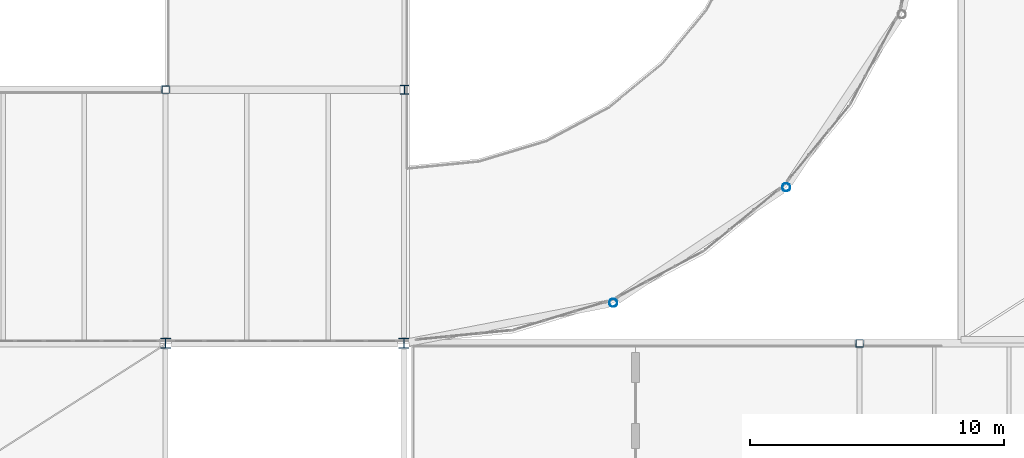
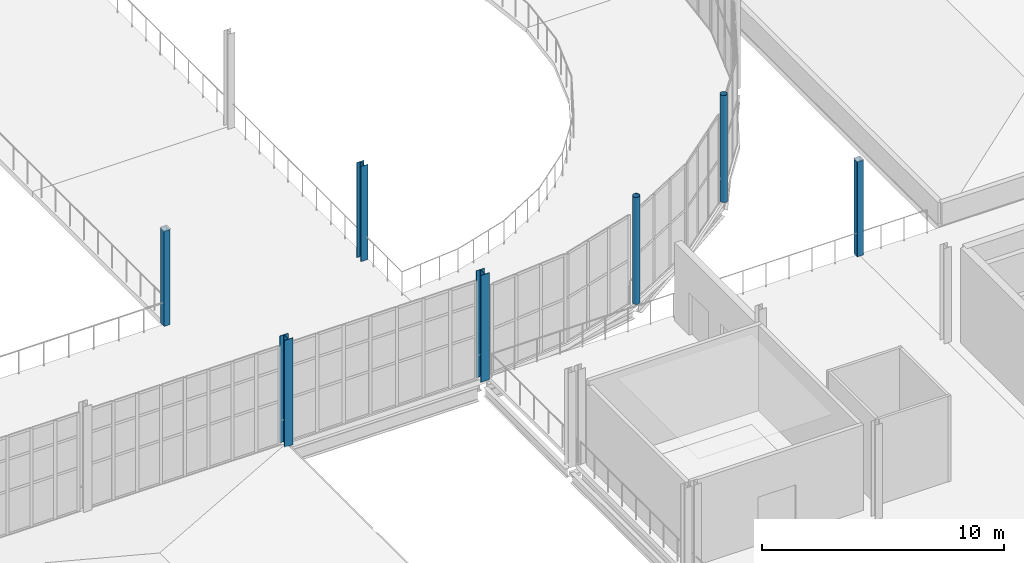
# One storey, part 14 of 112: 7 columns.
"""IFC4 building model written with IfcOpenShell, lengths in metres."""

import ifcopenshell
import ifcopenshell.guid

model = None  # the IFC model being written
_history = None  # IfcOwnerHistory: only IFC2X3 demands one
_inside = {}  # id of a spatial element -> (the spatial element, [elements in it])
_under = {}  # id of a project, library or spatial element -> (it, [spatial elements below it])
_declared = {}  # id of a project -> (the project, [libraries it declares])
_typed = {}  # id of a type object -> (the type object, [elements of that type])
_made_of = {}  # id of a material, layer set ... -> (it, [elements and type objects made of it])


def new_model(schema):
    """Start an empty IFC model of exactly this schema.

    Asked for "IFC4X3", IfcOpenShell would pick the latest addendum, in which some entities
    have other attributes; the version numbers below select the first issue.
    IFC2X3 requires an IfcOwnerHistory on every rooted entity: one is made here for all.
    """
    global model, _history
    if schema == "IFC4X3":
        model = ifcopenshell.file(schema_version=(4, 3, 0, 0))
    else:
        model = ifcopenshell.file(schema=schema)
    _inside.clear()
    _under.clear()
    _declared.clear()
    _typed.clear()
    _made_of.clear()
    _history = None
    if model.schema == "IFC2X3":
        org = make("IfcOrganization", Name="unknown")
        user = make(
            "IfcPersonAndOrganization",
            ThePerson=make("IfcPerson", FamilyName="unknown"),
            TheOrganization=org,
        )
        app = make(
            "IfcApplication",
            ApplicationDeveloper=org,
            Version="unknown",
            ApplicationFullName="unknown",
            ApplicationIdentifier="unknown",
        )
        _history = make(
            "IfcOwnerHistory",
            OwningUser=user,
            OwningApplication=app,
            ChangeAction="ADDED",
            CreationDate=0,
        )
    return model


def make(cls, **values):
    """One entity of the class cls with the attributes given. An attribute that is None is left unset."""
    return model.create_entity(
        cls, **{name: value for name, value in values.items() if value is not None}
    )


def rooted(cls, **values):
    """An entity with a GlobalId (a new one), such as an element, a storey or a relation."""
    return make(cls, GlobalId=ifcopenshell.guid.new(), OwnerHistory=_history, **values)


def si_unit(unit_type, name, prefix=None):
    """IfcSIUnit, for example si_unit("LENGTHUNIT", "METRE", prefix="MILLI")."""
    return make("IfcSIUnit", UnitType=unit_type, Prefix=prefix, Name=name)


def assignment(units):
    """IfcUnitAssignment: the units of a project."""
    return None if units is None else make("IfcUnitAssignment", Units=units)


def point(xyz):
    """IfcCartesianPoint."""
    return None if xyz is None else make("IfcCartesianPoint", Coordinates=xyz)


def direction(xyz):
    """IfcDirection."""
    return None if xyz is None else make("IfcDirection", DirectionRatios=xyz)


def frame(location, z_axis=None, x_axis=None):
    """IfcAxis2Placement3D, a coordinate frame: its origin and axes. An axis left out is left unset."""
    return make(
        "IfcAxis2Placement3D",
        Location=point(location),
        Axis=direction(z_axis),
        RefDirection=direction(x_axis),
    )


def frame_2d(location, x_axis=None):
    """IfcAxis2Placement2D, a coordinate frame in the plane: its origin and x axis."""
    return make(
        "IfcAxis2Placement2D", Location=point(location), RefDirection=direction(x_axis)
    )


def origin():
    """The frame at (0, 0, 0) with its axes left unset."""
    return frame((0.0, 0.0, 0.0))


def origin_2d():
    """The frame at (0, 0) in the plane with its x axis left unset."""
    return frame_2d((0.0, 0.0))


def place(relative_to, where):
    """IfcLocalPlacement: puts the frame where relative to a parent placement (None: the world)."""
    return make(
        "IfcLocalPlacement", PlacementRelTo=relative_to, RelativePlacement=where
    )


def context(
    kind, dimensions, precision=None, world=None, true_north=None, identifier=None
):
    """IfcGeometricRepresentationContext, for example the 3D "Model" context."""
    return make(
        "IfcGeometricRepresentationContext",
        ContextIdentifier=identifier,
        ContextType=kind,
        CoordinateSpaceDimension=dimensions,
        Precision=precision,
        WorldCoordinateSystem=world,
        TrueNorth=true_north,
    )


def subcontext(parent, identifier, kind, view, scale=None):
    """IfcGeometricRepresentationSubContext, for example "Body" below "Model"."""
    return make(
        "IfcGeometricRepresentationSubContext",
        ContextIdentifier=identifier,
        ContextType=kind,
        ParentContext=parent,
        TargetScale=scale,
        TargetView=view,
    )


def project(units=None, contexts=None):
    """IfcProject with its units and contexts."""
    return rooted(
        "IfcProject",
        Name="project",
        RepresentationContexts=contexts,
        UnitsInContext=assignment(units),
    )


def spatial(cls, under=None, at=None, **own):
    """A site, building, storey or space (cls), placed at a placement, below another one or the project."""
    s = rooted(cls, ObjectPlacement=at, **own)
    if under is not None:
        _under.setdefault(under.id(), (under, []))[1].append(s)
    return s


def profile(cls, at=None, kind="AREA", **sizes):
    """A parametric profile (cls). Its sizes go by their IFC names, for example OverallWidth=200.0."""
    return make(cls, ProfileType=kind, Position=at, **sizes)


def hollow_rectangle(**sizes):
    """IfcRectangleHollowProfileDef."""
    return profile("IfcRectangleHollowProfileDef", **sizes)


def hollow_circle(**sizes):
    """IfcCircleHollowProfileDef."""
    return profile("IfcCircleHollowProfileDef", **sizes)


def i_section(**sizes):
    """IfcIShapeProfileDef."""
    return profile("IfcIShapeProfileDef", **sizes)


def extrude(swept, where, along, depth):
    """IfcExtrudedAreaSolid: the profile swept, set in the frame where, extruded along a direction by depth."""
    return make(
        "IfcExtrudedAreaSolid",
        SweptArea=swept,
        Position=where,
        ExtrudedDirection=direction(along),
        Depth=depth,
    )


def shape(context_of_items, identifier, shape_type, items):
    """IfcShapeRepresentation: the items that make up one representation, for example the "Body"."""
    return make(
        "IfcShapeRepresentation",
        ContextOfItems=context_of_items,
        RepresentationIdentifier=identifier,
        RepresentationType=shape_type,
        Items=items,
    )


def material(Name=None, Category=None):
    """IfcMaterial."""
    return make("IfcMaterial", Name=Name, Category=Category)


def material_profile(
    of_material, cross_section, Name=None, Category=None, Priority=None
):
    """IfcMaterialProfile: a cross section and its material."""
    return make(
        "IfcMaterialProfile",
        Name=Name,
        Material=of_material,
        Profile=cross_section,
        Priority=Priority,
        Category=Category,
    )


def profile_set(profiles, Name=None, composite=None):
    """IfcMaterialProfileSet."""
    return make(
        "IfcMaterialProfileSet",
        Name=Name,
        MaterialProfiles=profiles,
        CompositeProfile=composite,
    )


def made_of(thing, what):
    """Note that an element or type object is made of a material, layer set ...; save() writes the relation."""
    if what is not None:
        _made_of.setdefault(what.id(), (what, []))[1].append(thing)
    return thing


def type_object(cls, material=None, **own):
    """A type object (cls), such as IfcWallType, which elements share."""
    return made_of(rooted(cls, **own), material)


def element(
    cls,
    number,
    at=None,
    inside=None,
    cuts=None,
    type_object=None,
    material=None,
    context=None,
    identifier="Body",
    shape_type=None,
    held_by="IfcProductDefinitionShape",
    body=None,
    shapes=None,
    **own,
):
    """One element of the class cls, such as IfcWall. Its Tag is "e" and its number.

    at: its placement. inside: the storey or other place that contains it. cuts: it is an
    opening in that element (IfcRelVoidsElement). A single representation is given by context,
    identifier, shape_type and body (its items); several are given by shapes. held_by: the class
    of the entity that holds the representations. save() writes the other relations.
    """
    e = rooted(cls, Tag="e%d" % number, ObjectPlacement=at, **own)
    if body is not None:
        shapes = [shape(context, identifier, shape_type, body)]
    if shapes is not None:
        e.Representation = make(held_by, Representations=shapes)
    if inside is not None:
        _inside.setdefault(inside.id(), (inside, []))[1].append(e)
    if cuts is not None:
        rooted(
            "IfcRelVoidsElement", RelatingBuildingElement=cuts, RelatedOpeningElement=e
        )
    if type_object is not None:
        _typed.setdefault(type_object.id(), (type_object, []))[1].append(e)
    return made_of(e, material)


def aggregate(whole, parts):
    """IfcRelAggregates: a whole, such as a stair, and the parts it consists of."""
    return rooted("IfcRelAggregates", RelatingObject=whole, RelatedObjects=parts)


def save(model, path):
    """Write the relations noted so far, then the file.

    IfcRelAggregates (storeys below a building ...), IfcRelContainedInSpatialStructure (elements
    in a storey), IfcRelDefinesByType, IfcRelAssociatesMaterial and IfcRelDeclares: one each for
    every whole, place, type object, material and project.
    """
    for whole, parts in _under.values():
        aggregate(whole, parts)
    for where, things in _inside.values():
        rooted(
            "IfcRelContainedInSpatialStructure",
            RelatedElements=things,
            RelatingStructure=where,
        )
    for kind, things in _typed.values():
        rooted("IfcRelDefinesByType", RelatedObjects=things, RelatingType=kind)
    for what, things in _made_of.values():
        rooted("IfcRelAssociatesMaterial", RelatedObjects=things, RelatingMaterial=what)
    for by, libraries in _declared.values():
        rooted("IfcRelDeclares", RelatingContext=by, RelatedDefinitions=libraries)
    model.write(path)


model = new_model("IFC4")

# Units and contexts
model_context = context("Model", 3, precision=1e-05, world=origin(), true_north=direction((0.0, 1.0)))
body_context = subcontext(model_context, "Body", "Model", "MODEL_VIEW")
ifc_project = project(units=[si_unit("LENGTHUNIT", "METRE"), si_unit("AREAUNIT", "SQUARE_METRE"), si_unit("VOLUMEUNIT", "CUBIC_METRE"), si_unit("PLANEANGLEUNIT", "RADIAN"), si_unit("MASSUNIT", "GRAM", prefix="KILO")], contexts=[model_context])

# Site, building, storey
site_placement = place(None, origin())
site = spatial("IfcSite", under=ifc_project, at=site_placement, CompositionType="ELEMENT")
building_placement = place(site_placement, origin())
building = spatial("IfcBuilding", under=site, at=building_placement, Name="Yeouljin Market Hall", CompositionType="ELEMENT")
storey_placement = place(building_placement, frame((0.0, 0.0, 6.0)))
storey = spatial("IfcBuildingStorey", under=building, at=storey_placement, Name="L01", CompositionType="ELEMENT", Elevation=6.0)

# Columns
ifc_material_1 = material(Name="Steel SM355", Category="steel")
ifc_material_profile_1 = material_profile(ifc_material_1, hollow_circle(Radius=0.1591796875, WallThickness=0.010009765625, at=origin_2d()), Name="CHS-318.5x10")
ifc_profile_set_1 = profile_set([ifc_material_profile_1], Name="Steel SM355")
column_type_1 = type_object("IfcColumnType", Name="Col_CHS-318.5x10", PredefinedType="COLUMN", material=ifc_profile_set_1)
for number, where, z_axis, x_axis, name in (
    (1, (149.036376953125, 37.598388671875, 0.0), (0.0, 0.0, 1.0), (1.0, 0.0, 0.0), "Column AP-E02 (L01)"),
    (2, (155.84912109375, 42.15087890625, 0.0), (0.0, 0.0, 1.0), (1.0, 0.0, 0.0), "Column AP-E04 (L01)"),
):
    element("IfcColumn", number, at=place(storey_placement, frame(where, z_axis=z_axis, x_axis=x_axis)), inside=storey, type_object=column_type_1, Name=name, PredefinedType="COLUMN", context=body_context, shape_type="SweptSolid", body=[
        extrude(hollow_circle(Radius=0.1591796875, WallThickness=0.010009765625, at=origin_2d()), origin(), (0.0, 0.0, 1.0), 5.39990234375),
    ])
ifc_material_2 = material(Name="Steel SM355", Category="steel")
ifc_material_profile_2 = material_profile(ifc_material_2, i_section(OverallWidth=0.35009765625, OverallDepth=0.35009765625, WebThickness=0.011962890625, FlangeThickness=0.01904296875, FilletRadius=0.02001953125, at=origin_2d()), Name="H-350x350x12x19")
ifc_profile_set_2 = profile_set([ifc_material_profile_2], Name="Steel SM355")
column_type_2 = type_object("IfcColumnType", Name="Col_H-350x350x12x19", PredefinedType="COLUMN", material=ifc_profile_set_2)
column_placement = place(storey_placement, frame((140.81005859375, 46.0, 0.0), z_axis=(0.0, 0.0, 1.0), x_axis=(1.0, 0.0, 0.0)))
element("IfcColumn", 3, at=column_placement, inside=storey, type_object=column_type_2, Name="Column G-16-05 (L01)", PredefinedType="COLUMN", context=body_context, shape_type="SweptSolid", body=[
    extrude(i_section(OverallWidth=0.35009765625, OverallDepth=0.35009765625, WebThickness=0.011962890625, FlangeThickness=0.01904296875, FilletRadius=0.02001953125, at=origin_2d()), origin(), (0.0, 0.0, 1.0), 4.800048828125),
])
ifc_material_3 = material(Name="Steel SM355", Category="steel")
ifc_material_profile_3 = material_profile(ifc_material_3, i_section(OverallWidth=0.39990234375, OverallDepth=0.39990234375, WebThickness=0.012939453125, FlangeThickness=0.02099609375, FilletRadius=0.02197265625, at=origin_2d()), Name="H-400x400x13x21")
ifc_profile_set_3 = profile_set([ifc_material_profile_3], Name="Steel SM355")
column_type_3 = type_object("IfcColumnType", Name="Col_H-400x400x13x21", PredefinedType="COLUMN", material=ifc_profile_set_3)
for number, where, z_axis, x_axis, name in (
    (4, (131.39990234375, 36.0, 0.0), (0.0, 0.0, 1.0), (1.0, 0.0, 0.0), "Column G-15-04 (L01)"),
    (5, (140.784912109375, 36.0, 0.0), (0.0, 0.0, 1.0), (1.0, 0.0, 0.0), "Column G-16-04 (L01)"),
):
    element("IfcColumn", number, at=place(storey_placement, frame(where, z_axis=z_axis, x_axis=x_axis)), inside=storey, type_object=column_type_3, Name=name, PredefinedType="COLUMN", context=body_context, shape_type="SweptSolid", body=[
        extrude(i_section(OverallWidth=0.39990234375, OverallDepth=0.39990234375, WebThickness=0.012939453125, FlangeThickness=0.02099609375, FilletRadius=0.02197265625, at=origin_2d()), origin(), (0.0, 0.0, 1.0), 5.39990234375),
    ])
ifc_material_4 = material(Name="Steel SM355", Category="steel")
ifc_material_profile_4 = material_profile(ifc_material_4, hollow_rectangle(XDim=0.300048828125, YDim=0.300048828125, WallThickness=0.010009765625, InnerFilletRadius=0.010009765625, OuterFilletRadius=0.01611328125, at=origin_2d()), Name="SHS-300x300x10")
ifc_profile_set_4 = profile_set([ifc_material_profile_4], Name="Steel SM355")
column_type_4 = type_object("IfcColumnType", Name="Col_SHS-300x300x10", PredefinedType="COLUMN", material=ifc_profile_set_4)
for number, where, z_axis, x_axis, name in (
    (6, (131.39990234375, 46.0, 0.0), (0.0, 0.0, 1.0), (1.0, 0.0, 0.0), "Column G-15-05 (L01)"),
    (7, (158.739990234375, 36.0, 0.0), (0.0, 0.0, 1.0), (1.0, 0.0, 0.0), "Column G-19-04 (L01)"),
):
    element("IfcColumn", number, at=place(storey_placement, frame(where, z_axis=z_axis, x_axis=x_axis)), inside=storey, type_object=column_type_4, Name=name, PredefinedType="COLUMN", context=body_context, shape_type="SweptSolid", body=[
        extrude(hollow_rectangle(XDim=0.300048828125, YDim=0.300048828125, WallThickness=0.010009765625, InnerFilletRadius=0.010009765625, OuterFilletRadius=0.01611328125, at=origin_2d()), origin(), (0.0, 0.0, 1.0), 4.800048828125),
    ])

save(model, "model.ifc")
